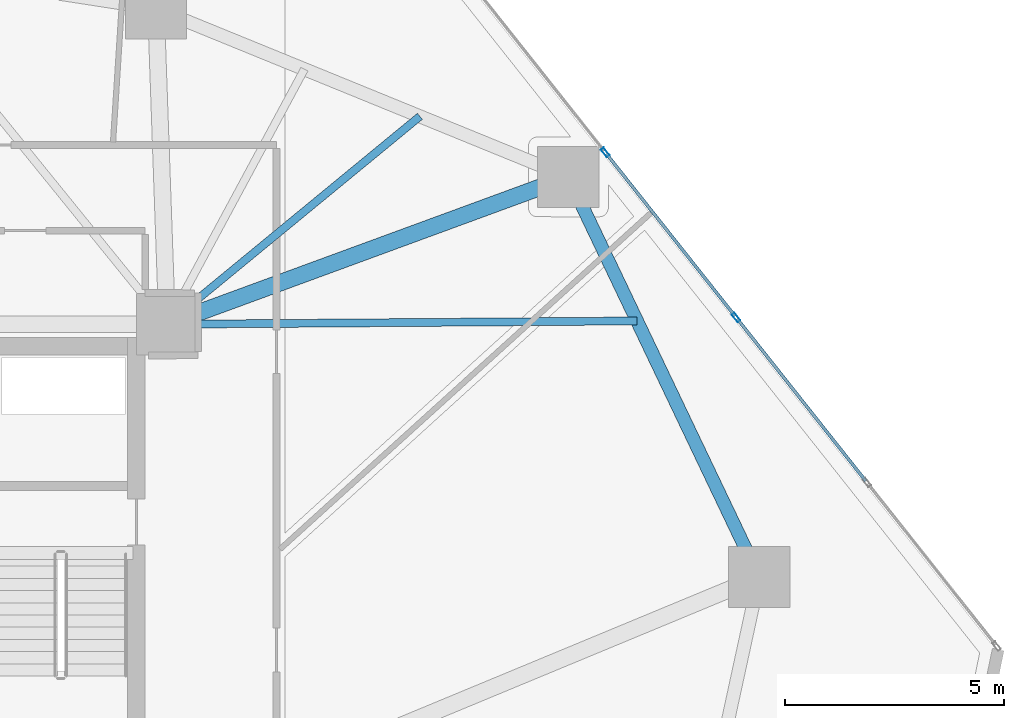
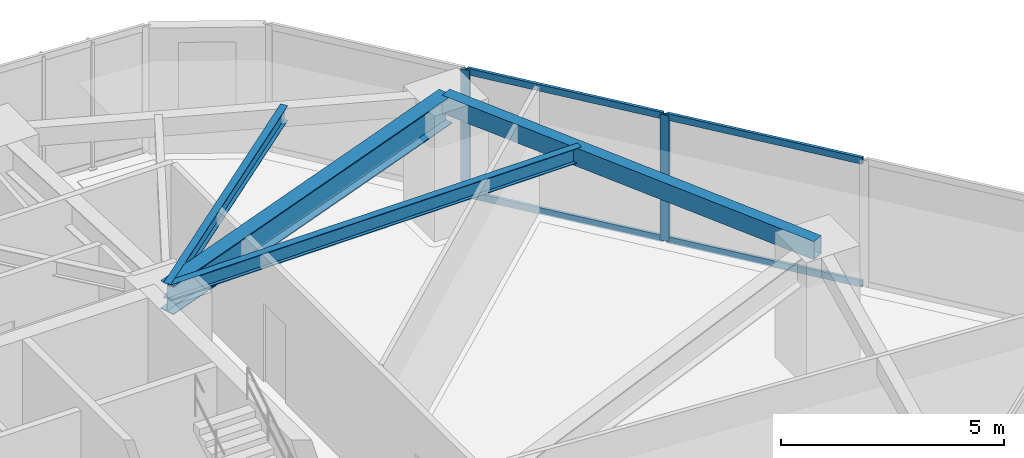
# One storey, part 13 of 24: 6 members, 4 beams, 1 element without a shape of its own.
"""IFC4 building model written with IfcOpenShell, lengths in metres."""

from ifc_helpers import new_model, si_unit, direction, frame, origin, origin_2d, place, context, subcontext, project, spatial, hollow_rectangle, i_section, extrude, source, transform, mapped, material, layer, layer_set, material_profile, profile_set, type_object, type_shapes, element, aggregate, save


model = new_model("IFC4")

# Units and contexts
model_context = context("Model", 3, precision=1e-05, world=origin(), true_north=direction((0.0, 1.0)))
body_context = subcontext(model_context, "Body", "Model", "MODEL_VIEW")
ifc_project = project(units=[si_unit("LENGTHUNIT", "METRE"), si_unit("AREAUNIT", "SQUARE_METRE"), si_unit("VOLUMEUNIT", "CUBIC_METRE"), si_unit("PLANEANGLEUNIT", "RADIAN"), si_unit("MASSUNIT", "GRAM", prefix="KILO")], contexts=[model_context])

# Site, building, storey
site_placement = place(None, origin())
site = spatial("IfcSite", under=ifc_project, at=site_placement, CompositionType="ELEMENT")
building_placement = place(site_placement, origin())
building = spatial("IfcBuilding", under=site, at=building_placement, Name="Talar Marvaseh", CompositionType="ELEMENT")
storey_placement = place(building_placement, frame((0.0, 0.0, 81.0)))
storey = spatial("IfcBuildingStorey", under=building, at=storey_placement, Name="L20", CompositionType="ELEMENT", Elevation=81.0)

# Beams
ifc_material_1 = material(Name="Steel S355", Category="steel")
ifc_material_profile_1 = material_profile(ifc_material_1, hollow_rectangle(XDim=0.300048828125, YDim=0.5, WallThickness=0.02001953125, at=origin_2d()), Name="RHS500x300x20")
ifc_profile_set_1 = profile_set([ifc_material_profile_1], Name="Steel S355")
beam_type_1 = type_object("IfcBeamType", Name="Zone 1 Perimeter Spandrel Beam RHS500x300x20", PredefinedType="SPANDREL", material=ifc_profile_set_1)
beam_1_placement = place(storey_placement, frame((42.47705078125, 40.26904296875, 3.199951171875), z_axis=(0.430480372911, -0.902599938255, 0.0), x_axis=(0.902599938255, 0.430480372911, 0.0)))
element("IfcBeam", 1, at=beam_1_placement, inside=storey, type_object=beam_type_1, Name="L20 Zone 1 Perimeter Spandrel Beam RHS500x300x20", PredefinedType="SPANDREL", context=body_context, shape_type="SweptSolid", body=[
    extrude(hollow_rectangle(XDim=0.300048828125, YDim=0.5, WallThickness=0.02001953125, at=origin_2d()), origin(), (0.0, 0.0, 1.0), 10.137451171875),
])
ifc_material_profile_2 = material_profile(ifc_material_1, i_section(OverallWidth=0.381103515625, OverallDepth=0.77294921875, WebThickness=0.0166015625, FlangeThickness=0.027099609375, at=origin_2d()), Name="W760x257")
ifc_profile_set_2 = profile_set([ifc_material_profile_2], Name="Steel S355")
beam_type_2 = type_object("IfcBeamType", Name="Zone 1 Radial Floor Girder W760x257", PredefinedType="BEAM", material=ifc_profile_set_2)
beam_2_placement = place(storey_placement, frame((42.47705078125, 40.26904296875, 3.0634765625), z_axis=(-0.938736057616, -0.344636930887, 0.0), x_axis=(0.344636930887, -0.938736057616, 0.0)))
element("IfcBeam", 2, at=beam_2_placement, inside=storey, type_object=beam_type_2, Name="L20 Zone 1 Radial Floor Girder W760x257", PredefinedType="BEAM", context=body_context, shape_type="SweptSolid", body=[
    extrude(i_section(OverallWidth=0.381103515625, OverallDepth=0.77294921875, WebThickness=0.0166015625, FlangeThickness=0.027099609375, at=origin_2d()), origin(), (0.0, 0.0, 1.0), 9.77587890625),
])
ifc_material_profile_3 = material_profile(ifc_material_1, i_section(OverallWidth=0.179931640625, OverallDepth=0.4130859375, WebThickness=0.009765625, FlangeThickness=0.01611328125, at=origin_2d()), Name="W410x75")
ifc_profile_set_3 = profile_set([ifc_material_profile_3], Name="Steel S355")
beam_type_3 = type_object("IfcBeamType", Name="Zone 1 Secondary Floor Joist W410x75", PredefinedType="JOIST", material=ifc_profile_set_3)
beam_3_placement = place(storey_placement, frame((44.048095703125, 36.97509765625, 3.243408203125), z_axis=(-0.999975527604, -0.006996012686, 0.0), x_axis=(0.006996012686, -0.999975527604, 0.0)))
element("IfcBeam", 3, at=beam_3_placement, inside=storey, type_object=beam_type_3, Name="L20 Zone 1 Secondary Floor Joist W410x75", PredefinedType="JOIST", context=body_context, shape_type="SweptSolid", body=[
    extrude(i_section(OverallWidth=0.179931640625, OverallDepth=0.4130859375, WebThickness=0.009765625, FlangeThickness=0.01611328125, at=origin_2d()), origin(), (0.0, 0.0, 1.0), 10.748291015625),
])
beam_4_placement = place(storey_placement, frame((39.081787109375, 41.654541015625, 3.243408203125), z_axis=(-0.772375351123, -0.635166369526, 0.0), x_axis=(0.635166369526, -0.772375351123, 0.0)))
element("IfcBeam", 4, at=beam_4_placement, inside=storey, type_object=beam_type_3, Name="L20 Zone 1 Secondary Floor Joist W410x75", PredefinedType="JOIST", context=body_context, shape_type="SweptSolid", body=[
    extrude(i_section(OverallWidth=0.179931640625, OverallDepth=0.4130859375, WebThickness=0.009765625, FlangeThickness=0.01611328125, at=origin_2d()), origin(), (0.0, 0.0, 1.0), 7.485595703125),
])

# Curtain wall, members
ifc_material_2 = material(Name="Architectural Aluminium", Category="aluminium")
ifc_layer = layer(ifc_material_2, 0.219970703125)
ifc_layer_set = layer_set([ifc_layer], Name="Architectural Aluminium")
curtain_wall_type = type_object("IfcCurtainWallType", Name="Unitised Low-E Museum Curtain Wall Z1", PredefinedType="NOTDEFINED", material=ifc_layer_set)
curtain_wall_placement = place(storey_placement, origin())
curtain_wall = element("IfcCurtainWall", 5, at=curtain_wall_placement, inside=storey, type_object=curtain_wall_type, Name="L20 Unitised Low-E Museum Curtain Wall Z1", PredefinedType="NOTDEFINED")
ifc_material_profile_4 = material_profile(ifc_material_2, hollow_rectangle(XDim=0.074951171875, YDim=0.179931640625, WallThickness=0.0048828125, at=origin_2d()), Name="RHS180x75x5")
ifc_profile_set_4 = profile_set([ifc_material_profile_4], Name="Architectural Aluminium")
member_type_1 = type_object("IfcMemberType", Name="Unitised Curtain Wall Transom RHS180x75x5", PredefinedType="USERDEFINED", material=ifc_profile_set_4)
shared_shape_1 = source(origin(), body_context, "Body", "SweptSolid", [
    extrude(hollow_rectangle(XDim=0.074951171875, YDim=0.179931640625, WallThickness=0.0048828125, at=origin_2d()), origin(), (0.0, 0.0, 1.0), 4.736572265625),
])
type_shapes(member_type_1, [shared_shape_1])
member_1_placement = place(storey_placement, frame((43.34521484375, 40.7998046875, 0.03759765625), z_axis=(0.621193937005, -0.783656871742, 0.0), x_axis=(0.783656871742, 0.621193937005, 0.0)))
member_1 = element("IfcMember", 6, at=member_1_placement, type_object=member_type_1, Name="CW-Z1 transom 2.1", ObjectType="TRANSOM", PredefinedType="USERDEFINED", context=body_context, shape_type="MappedRepresentation", body=[
    mapped(shared_shape_1, transform((0.0, 0.0, 0.0), x_axis=(1.0, 0.0, 0.0), y_axis=(0.0, 1.0, 0.0), z_axis=(0.0, 0.0, 1.0), scale=1.0)),
])
member_2_placement = place(storey_placement, frame((43.34521484375, 40.7998046875, 3.41259765625), z_axis=(0.621193937005, -0.783656871742, 0.0), x_axis=(0.783656871742, 0.621193937005, 0.0)))
member_2 = element("IfcMember", 7, at=member_2_placement, type_object=member_type_1, Name="CW-Z1 transom 2.2", ObjectType="TRANSOM", PredefinedType="USERDEFINED", context=body_context, shape_type="MappedRepresentation", body=[
    mapped(shared_shape_1, transform((0.0, 0.0, 0.0), x_axis=(1.0, 0.0, 0.0), y_axis=(0.0, 1.0, 0.0), z_axis=(0.0, 0.0, 1.0), scale=1.0)),
])
member_3_placement = place(storey_placement, frame((46.33740234375, 37.025390625, 0.03759765625), z_axis=(0.621193937005, -0.783656871742, 0.0), x_axis=(0.783656871742, 0.621193937005, 0.0)))
member_3 = element("IfcMember", 8, at=member_3_placement, type_object=member_type_1, Name="CW-Z1 transom 3.1", ObjectType="TRANSOM", PredefinedType="USERDEFINED", context=body_context, shape_type="MappedRepresentation", body=[
    mapped(shared_shape_1, transform((0.0, 0.0, 0.0), x_axis=(1.0, 0.0, 0.0), y_axis=(0.0, 1.0, 0.0), z_axis=(0.0, 0.0, 1.0), scale=1.0)),
])
member_4_placement = place(storey_placement, frame((46.33740234375, 37.025390625, 3.41259765625), z_axis=(0.621193937005, -0.783656871742, 0.0), x_axis=(0.783656871742, 0.621193937005, 0.0)))
member_4 = element("IfcMember", 9, at=member_4_placement, type_object=member_type_1, Name="CW-Z1 transom 3.2", ObjectType="TRANSOM", PredefinedType="USERDEFINED", context=body_context, shape_type="MappedRepresentation", body=[
    mapped(shared_shape_1, transform((0.0, 0.0, 0.0), x_axis=(1.0, 0.0, 0.0), y_axis=(0.0, 1.0, 0.0), z_axis=(0.0, 0.0, 1.0), scale=1.0)),
])
ifc_material_profile_5 = material_profile(ifc_material_2, hollow_rectangle(XDim=0.080078125, YDim=0.219970703125, WallThickness=0.0048828125, at=origin_2d()), Name="RHS220x80x5")
ifc_profile_set_5 = profile_set([ifc_material_profile_5], Name="Architectural Aluminium")
member_type_2 = type_object("IfcMemberType", Name="Unitised Curtain Wall Heavy Mullion RHS220x80x5", PredefinedType="MULLION", material=ifc_profile_set_5)
shared_shape_2 = source(origin(), body_context, "Body", "SweptSolid", [
    extrude(hollow_rectangle(XDim=0.080078125, YDim=0.219970703125, WallThickness=0.0048828125, at=origin_2d()), origin(), (0.0, 0.0, 1.0), 3.449951171875),
])
type_shapes(member_type_2, [shared_shape_2])
member_5_placement = place(storey_placement, frame((43.320556640625, 40.8310546875, 0.0), z_axis=(0.0, 0.0, 1.0), x_axis=(0.783650669629, 0.621201761097, 0.0)))
member_5 = element("IfcMember", 10, at=member_5_placement, type_object=member_type_2, Name="CW-Z1 mullion 2", PredefinedType="MULLION", context=body_context, shape_type="MappedRepresentation", body=[
    mapped(shared_shape_2, transform((0.0, 0.0, 0.0), x_axis=(1.0, 0.0, 0.0), y_axis=(0.0, 1.0, 0.0), z_axis=(0.0, 0.0, 1.0), scale=1.0)),
])
member_6_placement = place(storey_placement, frame((46.3125, 37.056640625, 0.0), z_axis=(0.0, 0.0, 1.0), x_axis=(0.783650669629, 0.621201761097, 0.0)))
member_6 = element("IfcMember", 11, at=member_6_placement, type_object=member_type_2, Name="CW-Z1 mullion 3", PredefinedType="MULLION", context=body_context, shape_type="MappedRepresentation", body=[
    mapped(shared_shape_2, transform((0.0, 0.0, 0.0), x_axis=(1.0, 0.0, 0.0), y_axis=(0.0, 1.0, 0.0), z_axis=(0.0, 0.0, 1.0), scale=1.0)),
])
aggregate(curtain_wall, [member_5, member_6, member_1, member_2, member_3, member_4])

save(model, "model.ifc")
